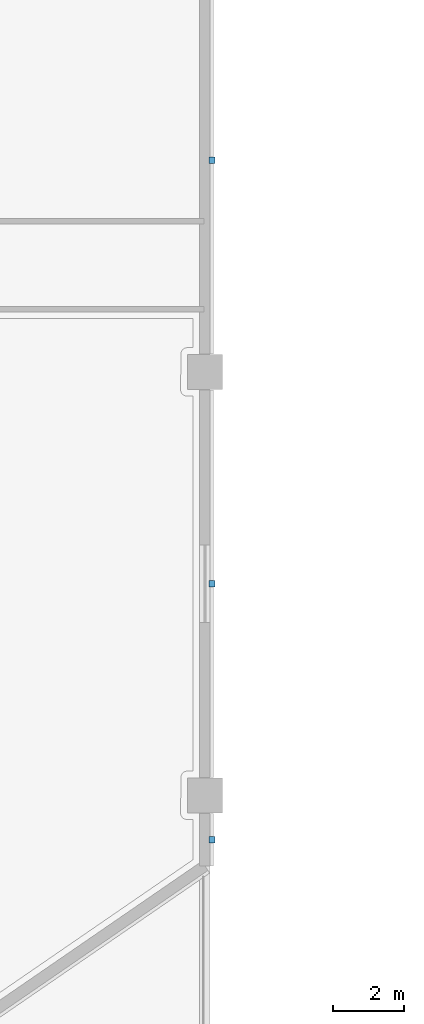
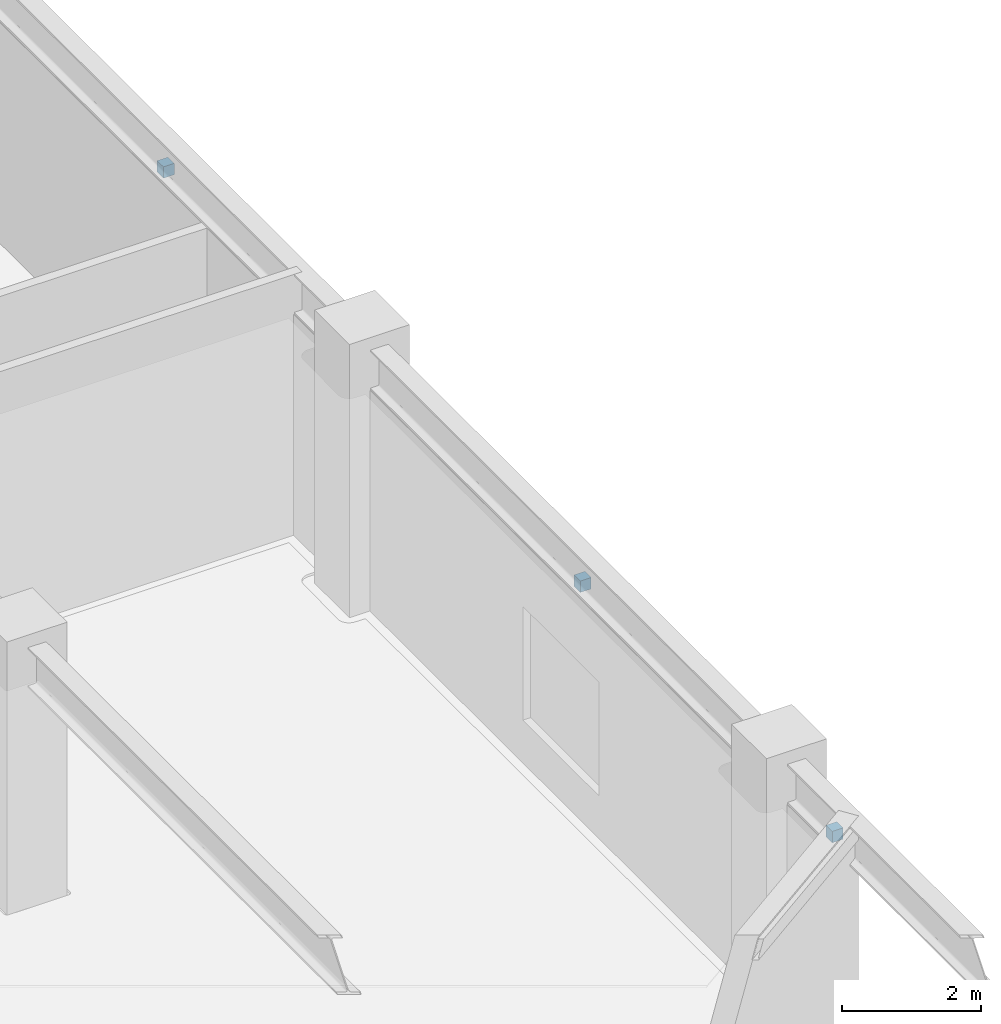
# One storey, part 21 of 26: 3 discrete accessories.
"""IFC4 building model written with IfcOpenShell, lengths in metres."""

import ifcopenshell
import ifcopenshell.guid

model = None  # the IFC model being written
_history = None  # IfcOwnerHistory: only IFC2X3 demands one
_inside = {}  # id of a spatial element -> (the spatial element, [elements in it])
_under = {}  # id of a project, library or spatial element -> (it, [spatial elements below it])
_declared = {}  # id of a project -> (the project, [libraries it declares])
_typed = {}  # id of a type object -> (the type object, [elements of that type])
_made_of = {}  # id of a material, layer set ... -> (it, [elements and type objects made of it])


def new_model(schema):
    """Start an empty IFC model of exactly this schema.

    Asked for "IFC4X3", IfcOpenShell would pick the latest addendum, in which some entities
    have other attributes; the version numbers below select the first issue.
    IFC2X3 requires an IfcOwnerHistory on every rooted entity: one is made here for all.
    """
    global model, _history
    if schema == "IFC4X3":
        model = ifcopenshell.file(schema_version=(4, 3, 0, 0))
    else:
        model = ifcopenshell.file(schema=schema)
    _inside.clear()
    _under.clear()
    _declared.clear()
    _typed.clear()
    _made_of.clear()
    _history = None
    if model.schema == "IFC2X3":
        org = make("IfcOrganization", Name="unknown")
        user = make(
            "IfcPersonAndOrganization",
            ThePerson=make("IfcPerson", FamilyName="unknown"),
            TheOrganization=org,
        )
        app = make(
            "IfcApplication",
            ApplicationDeveloper=org,
            Version="unknown",
            ApplicationFullName="unknown",
            ApplicationIdentifier="unknown",
        )
        _history = make(
            "IfcOwnerHistory",
            OwningUser=user,
            OwningApplication=app,
            ChangeAction="ADDED",
            CreationDate=0,
        )
    return model


def make(cls, **values):
    """One entity of the class cls with the attributes given. An attribute that is None is left unset."""
    return model.create_entity(
        cls, **{name: value for name, value in values.items() if value is not None}
    )


def rooted(cls, **values):
    """An entity with a GlobalId (a new one), such as an element, a storey or a relation."""
    return make(cls, GlobalId=ifcopenshell.guid.new(), OwnerHistory=_history, **values)


def si_unit(unit_type, name, prefix=None):
    """IfcSIUnit, for example si_unit("LENGTHUNIT", "METRE", prefix="MILLI")."""
    return make("IfcSIUnit", UnitType=unit_type, Prefix=prefix, Name=name)


def derived_unit(unit_type, elements):
    """IfcDerivedUnit: a product of units, each with its exponent."""
    return make(
        "IfcDerivedUnit",
        Elements=[
            make("IfcDerivedUnitElement", Unit=unit, Exponent=power)
            for unit, power in elements
        ],
        UnitType=unit_type,
    )


def assignment(units):
    """IfcUnitAssignment: the units of a project."""
    return None if units is None else make("IfcUnitAssignment", Units=units)


def point(xyz):
    """IfcCartesianPoint."""
    return None if xyz is None else make("IfcCartesianPoint", Coordinates=xyz)


def direction(xyz):
    """IfcDirection."""
    return None if xyz is None else make("IfcDirection", DirectionRatios=xyz)


def frame(location, z_axis=None, x_axis=None):
    """IfcAxis2Placement3D, a coordinate frame: its origin and axes. An axis left out is left unset."""
    return make(
        "IfcAxis2Placement3D",
        Location=point(location),
        Axis=direction(z_axis),
        RefDirection=direction(x_axis),
    )


def frame_2d(location, x_axis=None):
    """IfcAxis2Placement2D, a coordinate frame in the plane: its origin and x axis."""
    return make(
        "IfcAxis2Placement2D", Location=point(location), RefDirection=direction(x_axis)
    )


def origin():
    """The frame at (0, 0, 0) with its axes left unset."""
    return frame((0.0, 0.0, 0.0))


def origin_2d():
    """The frame at (0, 0) in the plane with its x axis left unset."""
    return frame_2d((0.0, 0.0))


def place(relative_to, where):
    """IfcLocalPlacement: puts the frame where relative to a parent placement (None: the world)."""
    return make(
        "IfcLocalPlacement", PlacementRelTo=relative_to, RelativePlacement=where
    )


def context(
    kind, dimensions, precision=None, world=None, true_north=None, identifier=None
):
    """IfcGeometricRepresentationContext, for example the 3D "Model" context."""
    return make(
        "IfcGeometricRepresentationContext",
        ContextIdentifier=identifier,
        ContextType=kind,
        CoordinateSpaceDimension=dimensions,
        Precision=precision,
        WorldCoordinateSystem=world,
        TrueNorth=true_north,
    )


def subcontext(parent, identifier, kind, view, scale=None):
    """IfcGeometricRepresentationSubContext, for example "Body" below "Model"."""
    return make(
        "IfcGeometricRepresentationSubContext",
        ContextIdentifier=identifier,
        ContextType=kind,
        ParentContext=parent,
        TargetScale=scale,
        TargetView=view,
    )


def project(units=None, contexts=None):
    """IfcProject with its units and contexts."""
    return rooted(
        "IfcProject",
        Name="project",
        RepresentationContexts=contexts,
        UnitsInContext=assignment(units),
    )


def spatial(cls, under=None, at=None, **own):
    """A site, building, storey or space (cls), placed at a placement, below another one or the project."""
    s = rooted(cls, ObjectPlacement=at, **own)
    if under is not None:
        _under.setdefault(under.id(), (under, []))[1].append(s)
    return s


def profile(cls, at=None, kind="AREA", **sizes):
    """A parametric profile (cls). Its sizes go by their IFC names, for example OverallWidth=200.0."""
    return make(cls, ProfileType=kind, Position=at, **sizes)


def rectangle(**sizes):
    """IfcRectangleProfileDef."""
    return profile("IfcRectangleProfileDef", **sizes)


def extrude(swept, where, along, depth):
    """IfcExtrudedAreaSolid: the profile swept, set in the frame where, extruded along a direction by depth."""
    return make(
        "IfcExtrudedAreaSolid",
        SweptArea=swept,
        Position=where,
        ExtrudedDirection=direction(along),
        Depth=depth,
    )


def shape(context_of_items, identifier, shape_type, items):
    """IfcShapeRepresentation: the items that make up one representation, for example the "Body"."""
    return make(
        "IfcShapeRepresentation",
        ContextOfItems=context_of_items,
        RepresentationIdentifier=identifier,
        RepresentationType=shape_type,
        Items=items,
    )


def source(mapping_origin, context_of_items, identifier, shape_type, items):
    """IfcRepresentationMap: a shape defined once, which mapped items show again and again."""
    return make(
        "IfcRepresentationMap",
        MappingOrigin=mapping_origin,
        MappedRepresentation=shape(context_of_items, identifier, shape_type, items),
    )


def transform(
    local_origin,
    x_axis=None,
    y_axis=None,
    z_axis=None,
    scale=None,
    scale2=None,
    scale3=None,
    uniform=True,
):
    """IfcCartesianTransformationOperator3D, or its non-uniform kind. x_axis, y_axis, z_axis: its Axis1, 2, 3."""
    if uniform:
        return make(
            "IfcCartesianTransformationOperator3D",
            Axis1=direction(x_axis),
            Axis2=direction(y_axis),
            LocalOrigin=point(local_origin),
            Scale=scale,
            Axis3=direction(z_axis),
        )
    return make(
        "IfcCartesianTransformationOperator3DnonUniform",
        Axis1=direction(x_axis),
        Axis2=direction(y_axis),
        LocalOrigin=point(local_origin),
        Scale=scale,
        Axis3=direction(z_axis),
        Scale2=scale2,
        Scale3=scale3,
    )


def mapped(mapping_source, mapping_target):
    """IfcMappedItem: shows the shape of a source again, moved by a transform."""
    return make(
        "IfcMappedItem", MappingSource=mapping_source, MappingTarget=mapping_target
    )


def material(Name=None, Category=None):
    """IfcMaterial."""
    return make("IfcMaterial", Name=Name, Category=Category)


def made_of(thing, what):
    """Note that an element or type object is made of a material, layer set ...; save() writes the relation."""
    if what is not None:
        _made_of.setdefault(what.id(), (what, []))[1].append(thing)
    return thing


def type_object(cls, material=None, **own):
    """A type object (cls), such as IfcWallType, which elements share."""
    return made_of(rooted(cls, **own), material)


def element(
    cls,
    number,
    at=None,
    inside=None,
    cuts=None,
    type_object=None,
    material=None,
    context=None,
    identifier="Body",
    shape_type=None,
    held_by="IfcProductDefinitionShape",
    body=None,
    shapes=None,
    **own,
):
    """One element of the class cls, such as IfcWall. Its Tag is "e" and its number.

    at: its placement. inside: the storey or other place that contains it. cuts: it is an
    opening in that element (IfcRelVoidsElement). A single representation is given by context,
    identifier, shape_type and body (its items); several are given by shapes. held_by: the class
    of the entity that holds the representations. save() writes the other relations.
    """
    e = rooted(cls, Tag="e%d" % number, ObjectPlacement=at, **own)
    if body is not None:
        shapes = [shape(context, identifier, shape_type, body)]
    if shapes is not None:
        e.Representation = make(held_by, Representations=shapes)
    if inside is not None:
        _inside.setdefault(inside.id(), (inside, []))[1].append(e)
    if cuts is not None:
        rooted(
            "IfcRelVoidsElement", RelatingBuildingElement=cuts, RelatedOpeningElement=e
        )
    if type_object is not None:
        _typed.setdefault(type_object.id(), (type_object, []))[1].append(e)
    return made_of(e, material)


def aggregate(whole, parts):
    """IfcRelAggregates: a whole, such as a stair, and the parts it consists of."""
    return rooted("IfcRelAggregates", RelatingObject=whole, RelatedObjects=parts)


def save(model, path):
    """Write the relations noted so far, then the file.

    IfcRelAggregates (storeys below a building ...), IfcRelContainedInSpatialStructure (elements
    in a storey), IfcRelDefinesByType, IfcRelAssociatesMaterial and IfcRelDeclares: one each for
    every whole, place, type object, material and project.
    """
    for whole, parts in _under.values():
        aggregate(whole, parts)
    for where, things in _inside.values():
        rooted(
            "IfcRelContainedInSpatialStructure",
            RelatedElements=things,
            RelatingStructure=where,
        )
    for kind, things in _typed.values():
        rooted("IfcRelDefinesByType", RelatedObjects=things, RelatingType=kind)
    for what, things in _made_of.values():
        rooted("IfcRelAssociatesMaterial", RelatedObjects=things, RelatingMaterial=what)
    for by, libraries in _declared.values():
        rooted("IfcRelDeclares", RelatingContext=by, RelatedDefinitions=libraries)
    model.write(path)


model = new_model("IFC4")

# Units and contexts
model_context = context("Model", 3, precision=1e-05, world=origin(), true_north=direction((0.0, 1.0)))
body_context = subcontext(model_context, "Body", "Model", "MODEL_VIEW")
ifc_project = project(units=[si_unit("LENGTHUNIT", "METRE"), si_unit("AREAUNIT", "SQUARE_METRE"), si_unit("VOLUMEUNIT", "CUBIC_METRE"), si_unit("PLANEANGLEUNIT", "RADIAN"), si_unit("MASSUNIT", "GRAM", prefix="KILO"), derived_unit("THERMALTRANSMITTANCEUNIT", [(si_unit("POWERUNIT", "WATT"), 1), (si_unit("LENGTHUNIT", "METRE"), -2), (si_unit("THERMODYNAMICTEMPERATUREUNIT", "KELVIN"), -1)])], contexts=[model_context])

# Site, building, storey
site_placement = place(None, origin())
site = spatial("IfcSite", under=ifc_project, at=site_placement, CompositionType="ELEMENT")
building_placement = place(site_placement, origin())
building = spatial("IfcBuilding", under=site, at=building_placement, Name="Korsvarv Bourse and Concert Hall", CompositionType="ELEMENT")
storey_placement = place(building_placement, frame((0.0, 0.0, 19.199951171875)))
storey = spatial("IfcBuildingStorey", under=building, at=storey_placement, Name="L04", CompositionType="ELEMENT", Elevation=19.199951171875)

# Discrete accessories
ifc_material = material(Name="Stainless Steel S355 facade outrigger bracket", Category="steel")
discrete_accessory_type = type_object("IfcDiscreteAccessoryType", Name="ACC-BRK-1", PredefinedType="BRACKET", material=ifc_material)
shared_shape = source(origin(), body_context, "Body", "SweptSolid", [
    extrude(rectangle(XDim=0.179931640625, YDim=0.179931640625, at=origin_2d()), origin(), (0.0, 0.0, 1.0), 0.199951171875),
])
for number, where, z_axis, x_axis, name in (
    (1, (66.199951171875, 14.74755859375, 3.6201171875), (0.0, 0.0, 1.0), (0.0, 1.0, 0.0), "L04 terracotta sunshade bracket EW-L04-G4-1"),
    (2, (66.199951171875, 22.0, 3.6201171875), (0.0, 0.0, 1.0), (0.0, 1.0, 0.0), "L04 terracotta sunshade bracket EW-L04-G4-2"),
    (3, (66.199951171875, 34.0, 3.6201171875), (0.0, 0.0, 1.0), (0.0, 1.0, 0.0), "L04 terracotta sunshade bracket EW-L04-G4-3"),
):
    element("IfcDiscreteAccessory", number, at=place(storey_placement, frame(where, z_axis=z_axis, x_axis=x_axis)), inside=storey, type_object=discrete_accessory_type, Name=name, PredefinedType="BRACKET", context=body_context, shape_type="MappedRepresentation", body=[
        mapped(shared_shape, transform((0.0, 0.0, 0.0), scale=1.0)),
    ])

save(model, "model.ifc")
